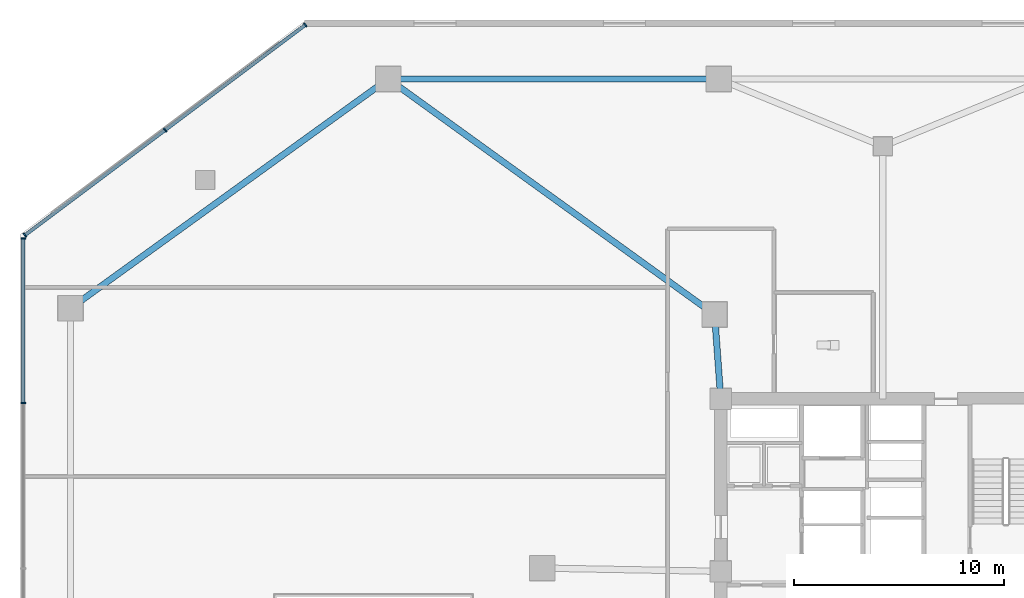
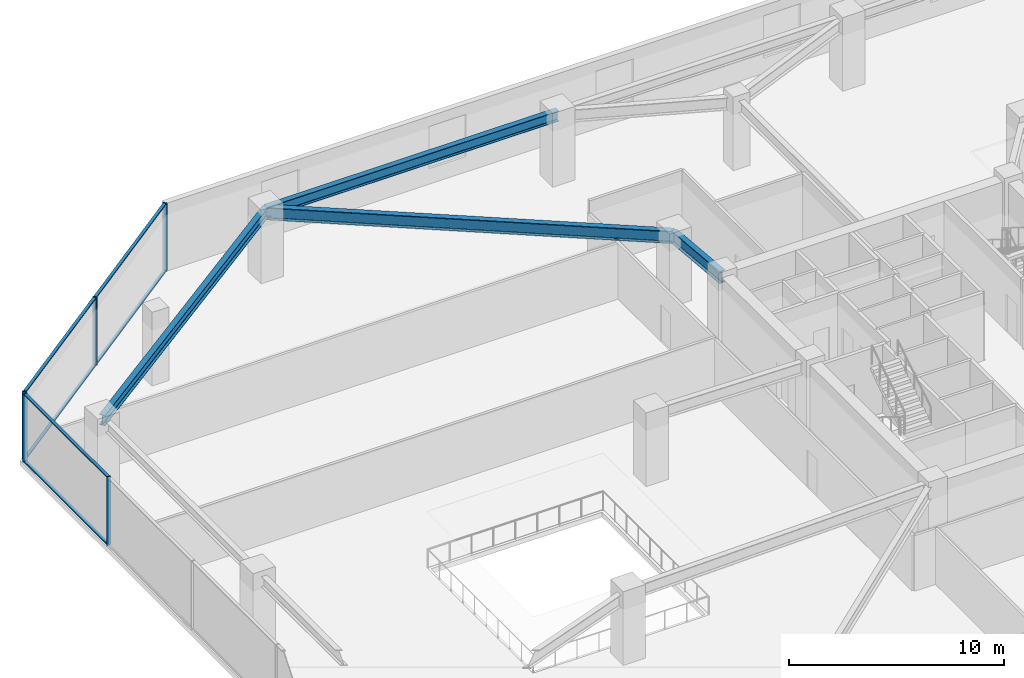
# One storey, part 6 of 22: 11 members, 4 beams, 2 elements without a shape of their own.
"""IFC4 building model written with IfcOpenShell, lengths in metres."""

import ifcopenshell
import ifcopenshell.guid

model = None  # the IFC model being written
_history = None  # IfcOwnerHistory: only IFC2X3 demands one
_inside = {}  # id of a spatial element -> (the spatial element, [elements in it])
_under = {}  # id of a project, library or spatial element -> (it, [spatial elements below it])
_declared = {}  # id of a project -> (the project, [libraries it declares])
_typed = {}  # id of a type object -> (the type object, [elements of that type])
_made_of = {}  # id of a material, layer set ... -> (it, [elements and type objects made of it])


def new_model(schema):
    """Start an empty IFC model of exactly this schema.

    Asked for "IFC4X3", IfcOpenShell would pick the latest addendum, in which some entities
    have other attributes; the version numbers below select the first issue.
    IFC2X3 requires an IfcOwnerHistory on every rooted entity: one is made here for all.
    """
    global model, _history
    if schema == "IFC4X3":
        model = ifcopenshell.file(schema_version=(4, 3, 0, 0))
    else:
        model = ifcopenshell.file(schema=schema)
    _inside.clear()
    _under.clear()
    _declared.clear()
    _typed.clear()
    _made_of.clear()
    _history = None
    if model.schema == "IFC2X3":
        org = make("IfcOrganization", Name="unknown")
        user = make(
            "IfcPersonAndOrganization",
            ThePerson=make("IfcPerson", FamilyName="unknown"),
            TheOrganization=org,
        )
        app = make(
            "IfcApplication",
            ApplicationDeveloper=org,
            Version="unknown",
            ApplicationFullName="unknown",
            ApplicationIdentifier="unknown",
        )
        _history = make(
            "IfcOwnerHistory",
            OwningUser=user,
            OwningApplication=app,
            ChangeAction="ADDED",
            CreationDate=0,
        )
    return model


def make(cls, **values):
    """One entity of the class cls with the attributes given. An attribute that is None is left unset."""
    return model.create_entity(
        cls, **{name: value for name, value in values.items() if value is not None}
    )


def rooted(cls, **values):
    """An entity with a GlobalId (a new one), such as an element, a storey or a relation."""
    return make(cls, GlobalId=ifcopenshell.guid.new(), OwnerHistory=_history, **values)


def si_unit(unit_type, name, prefix=None):
    """IfcSIUnit, for example si_unit("LENGTHUNIT", "METRE", prefix="MILLI")."""
    return make("IfcSIUnit", UnitType=unit_type, Prefix=prefix, Name=name)


def assignment(units):
    """IfcUnitAssignment: the units of a project."""
    return None if units is None else make("IfcUnitAssignment", Units=units)


def point(xyz):
    """IfcCartesianPoint."""
    return None if xyz is None else make("IfcCartesianPoint", Coordinates=xyz)


def direction(xyz):
    """IfcDirection."""
    return None if xyz is None else make("IfcDirection", DirectionRatios=xyz)


def frame(location, z_axis=None, x_axis=None):
    """IfcAxis2Placement3D, a coordinate frame: its origin and axes. An axis left out is left unset."""
    return make(
        "IfcAxis2Placement3D",
        Location=point(location),
        Axis=direction(z_axis),
        RefDirection=direction(x_axis),
    )


def frame_2d(location, x_axis=None):
    """IfcAxis2Placement2D, a coordinate frame in the plane: its origin and x axis."""
    return make(
        "IfcAxis2Placement2D", Location=point(location), RefDirection=direction(x_axis)
    )


def origin():
    """The frame at (0, 0, 0) with its axes left unset."""
    return frame((0.0, 0.0, 0.0))


def origin_2d():
    """The frame at (0, 0) in the plane with its x axis left unset."""
    return frame_2d((0.0, 0.0))


def place(relative_to, where):
    """IfcLocalPlacement: puts the frame where relative to a parent placement (None: the world)."""
    return make(
        "IfcLocalPlacement", PlacementRelTo=relative_to, RelativePlacement=where
    )


def context(
    kind, dimensions, precision=None, world=None, true_north=None, identifier=None
):
    """IfcGeometricRepresentationContext, for example the 3D "Model" context."""
    return make(
        "IfcGeometricRepresentationContext",
        ContextIdentifier=identifier,
        ContextType=kind,
        CoordinateSpaceDimension=dimensions,
        Precision=precision,
        WorldCoordinateSystem=world,
        TrueNorth=true_north,
    )


def subcontext(parent, identifier, kind, view, scale=None):
    """IfcGeometricRepresentationSubContext, for example "Body" below "Model"."""
    return make(
        "IfcGeometricRepresentationSubContext",
        ContextIdentifier=identifier,
        ContextType=kind,
        ParentContext=parent,
        TargetScale=scale,
        TargetView=view,
    )


def project(units=None, contexts=None):
    """IfcProject with its units and contexts."""
    return rooted(
        "IfcProject",
        Name="project",
        RepresentationContexts=contexts,
        UnitsInContext=assignment(units),
    )


def spatial(cls, under=None, at=None, **own):
    """A site, building, storey or space (cls), placed at a placement, below another one or the project."""
    s = rooted(cls, ObjectPlacement=at, **own)
    if under is not None:
        _under.setdefault(under.id(), (under, []))[1].append(s)
    return s


def profile(cls, at=None, kind="AREA", **sizes):
    """A parametric profile (cls). Its sizes go by their IFC names, for example OverallWidth=200.0."""
    return make(cls, ProfileType=kind, Position=at, **sizes)


def rectangle(**sizes):
    """IfcRectangleProfileDef."""
    return profile("IfcRectangleProfileDef", **sizes)


def i_section(**sizes):
    """IfcIShapeProfileDef."""
    return profile("IfcIShapeProfileDef", **sizes)


def extrude(swept, where, along, depth):
    """IfcExtrudedAreaSolid: the profile swept, set in the frame where, extruded along a direction by depth."""
    return make(
        "IfcExtrudedAreaSolid",
        SweptArea=swept,
        Position=where,
        ExtrudedDirection=direction(along),
        Depth=depth,
    )


def shape(context_of_items, identifier, shape_type, items):
    """IfcShapeRepresentation: the items that make up one representation, for example the "Body"."""
    return make(
        "IfcShapeRepresentation",
        ContextOfItems=context_of_items,
        RepresentationIdentifier=identifier,
        RepresentationType=shape_type,
        Items=items,
    )


def material(Name=None, Category=None):
    """IfcMaterial."""
    return make("IfcMaterial", Name=Name, Category=Category)


def material_profile(
    of_material, cross_section, Name=None, Category=None, Priority=None
):
    """IfcMaterialProfile: a cross section and its material."""
    return make(
        "IfcMaterialProfile",
        Name=Name,
        Material=of_material,
        Profile=cross_section,
        Priority=Priority,
        Category=Category,
    )


def profile_set(profiles, Name=None, composite=None):
    """IfcMaterialProfileSet."""
    return make(
        "IfcMaterialProfileSet",
        Name=Name,
        MaterialProfiles=profiles,
        CompositeProfile=composite,
    )


def made_of(thing, what):
    """Note that an element or type object is made of a material, layer set ...; save() writes the relation."""
    if what is not None:
        _made_of.setdefault(what.id(), (what, []))[1].append(thing)
    return thing


def type_object(cls, material=None, **own):
    """A type object (cls), such as IfcWallType, which elements share."""
    return made_of(rooted(cls, **own), material)


def element(
    cls,
    number,
    at=None,
    inside=None,
    cuts=None,
    type_object=None,
    material=None,
    context=None,
    identifier="Body",
    shape_type=None,
    held_by="IfcProductDefinitionShape",
    body=None,
    shapes=None,
    **own,
):
    """One element of the class cls, such as IfcWall. Its Tag is "e" and its number.

    at: its placement. inside: the storey or other place that contains it. cuts: it is an
    opening in that element (IfcRelVoidsElement). A single representation is given by context,
    identifier, shape_type and body (its items); several are given by shapes. held_by: the class
    of the entity that holds the representations. save() writes the other relations.
    """
    e = rooted(cls, Tag="e%d" % number, ObjectPlacement=at, **own)
    if body is not None:
        shapes = [shape(context, identifier, shape_type, body)]
    if shapes is not None:
        e.Representation = make(held_by, Representations=shapes)
    if inside is not None:
        _inside.setdefault(inside.id(), (inside, []))[1].append(e)
    if cuts is not None:
        rooted(
            "IfcRelVoidsElement", RelatingBuildingElement=cuts, RelatedOpeningElement=e
        )
    if type_object is not None:
        _typed.setdefault(type_object.id(), (type_object, []))[1].append(e)
    return made_of(e, material)


def aggregate(whole, parts):
    """IfcRelAggregates: a whole, such as a stair, and the parts it consists of."""
    return rooted("IfcRelAggregates", RelatingObject=whole, RelatedObjects=parts)


def save(model, path):
    """Write the relations noted so far, then the file.

    IfcRelAggregates (storeys below a building ...), IfcRelContainedInSpatialStructure (elements
    in a storey), IfcRelDefinesByType, IfcRelAssociatesMaterial and IfcRelDeclares: one each for
    every whole, place, type object, material and project.
    """
    for whole, parts in _under.values():
        aggregate(whole, parts)
    for where, things in _inside.values():
        rooted(
            "IfcRelContainedInSpatialStructure",
            RelatedElements=things,
            RelatingStructure=where,
        )
    for kind, things in _typed.values():
        rooted("IfcRelDefinesByType", RelatedObjects=things, RelatingType=kind)
    for what, things in _made_of.values():
        rooted("IfcRelAssociatesMaterial", RelatedObjects=things, RelatingMaterial=what)
    for by, libraries in _declared.values():
        rooted("IfcRelDeclares", RelatingContext=by, RelatedDefinitions=libraries)
    model.write(path)


model = new_model("IFC4")

# Units and contexts
model_context = context("Model", 3, precision=1e-05, world=origin(), true_north=direction((0.0, 1.0)))
body_context = subcontext(model_context, "Body", "Model", "MODEL_VIEW")
ifc_project = project(units=[si_unit("LENGTHUNIT", "METRE"), si_unit("AREAUNIT", "SQUARE_METRE"), si_unit("VOLUMEUNIT", "CUBIC_METRE"), si_unit("PLANEANGLEUNIT", "RADIAN"), si_unit("MASSUNIT", "GRAM", prefix="KILO")], contexts=[model_context])

# Site, building, storey
site_placement = place(None, origin())
site = spatial("IfcSite", under=ifc_project, at=site_placement, CompositionType="ELEMENT")
building_placement = place(site_placement, origin())
building = spatial("IfcBuilding", under=site, at=building_placement, Name="Savorim Split Tower", CompositionType="ELEMENT")
storey_placement = place(building_placement, frame((0.0, 0.0, 17.60009765625)))
storey = spatial("IfcBuildingStorey", under=building, at=storey_placement, Name="L04", CompositionType="ELEMENT", Elevation=17.60009765625)

# Beams
ifc_material_1 = material(Name="Steel S355", Category="steel")
ifc_material_profile_1 = material_profile(ifc_material_1, i_section(OverallWidth=0.300048828125, OverallDepth=0.699951171875, WebThickness=0.01708984375, FlangeThickness=0.031982421875, FilletRadius=0.027099609375, at=origin_2d()), Name="HEB 700")
ifc_profile_set_1 = profile_set([ifc_material_profile_1], Name="Steel S355")
beam_type_1 = type_object("IfcBeamType", Name="BM-PRI-HEB700", PredefinedType="BEAM", material=ifc_profile_set_1)
beam_1_placement = place(storey_placement, frame((-23.5, 25.39990234375, 3.52978515625), z_axis=(0.810720623397, -0.585433233426, 0.0), x_axis=(0.585433233426, 0.810720623397, 0.0)))
element("IfcBeam", 1, at=beam_1_placement, inside=storey, type_object=beam_type_1, Name="L04 Podium Primary Girder BG-15", PredefinedType="BEAM", context=body_context, shape_type="SweptSolid", body=[
    extrude(i_section(OverallWidth=0.300048828125, OverallDepth=0.699951171875, WebThickness=0.01708984375, FlangeThickness=0.031982421875, FilletRadius=0.027099609375, at=origin_2d()), origin(), (0.0, 0.0, 1.0), 19.128173828125),
])
beam_2_placement = place(storey_placement, frame((-7.992431640625, 14.20166015625, 3.52978515625), z_axis=(0.072894449016, -0.997339660949, 0.0), x_axis=(0.997339660949, 0.072894449016, 0.0)))
element("IfcBeam", 2, at=beam_2_placement, inside=storey, type_object=beam_type_1, Name="L04 Podium Primary Girder BG-29", PredefinedType="BEAM", context=body_context, shape_type="SweptSolid", body=[
    extrude(i_section(OverallWidth=0.300048828125, OverallDepth=0.699951171875, WebThickness=0.01708984375, FlangeThickness=0.031982421875, FilletRadius=0.027099609375, at=origin_2d()), origin(), (0.0, 0.0, 1.0), 4.012451171875),
])
ifc_material_profile_2 = material_profile(ifc_material_1, i_section(OverallWidth=0.300048828125, OverallDepth=0.590087890625, WebThickness=0.012939453125, FlangeThickness=0.02490234375, FilletRadius=0.027099609375, at=origin_2d()), Name="HEA 600")
ifc_profile_set_2 = profile_set([ifc_material_profile_2], Name="Steel S355")
beam_type_2 = type_object("IfcBeamType", Name="BM-SPN-HEA600", PredefinedType="SPANDREL", material=ifc_profile_set_2)
beam_3_placement = place(storey_placement, frame((-7.800048828125, 25.39990234375, 3.5849609375), z_axis=(-1.0, 0.0, 0.0), x_axis=(0.0, -1.0, 0.0)))
element("IfcBeam", 3, at=beam_3_placement, inside=storey, type_object=beam_type_2, Name="L04 Podium Spandrel Beam 8", PredefinedType="SPANDREL", context=body_context, shape_type="SweptSolid", body=[
    extrude(i_section(OverallWidth=0.300048828125, OverallDepth=0.590087890625, WebThickness=0.012939453125, FlangeThickness=0.02490234375, FilletRadius=0.027099609375, at=origin_2d()), origin(), (0.0, 0.0, 1.0), 15.699951171875),
])
beam_4_placement = place(storey_placement, frame((-23.5, 25.39990234375, 3.5849609375), z_axis=(-0.810825083438, -0.585288547699, 0.0), x_axis=(0.585288547699, -0.810825083438, 0.0)))
element("IfcBeam", 4, at=beam_4_placement, inside=storey, type_object=beam_type_2, Name="L04 Podium Spandrel Beam 9", PredefinedType="SPANDREL", context=body_context, shape_type="SweptSolid", body=[
    extrude(i_section(OverallWidth=0.300048828125, OverallDepth=0.590087890625, WebThickness=0.012939453125, FlangeThickness=0.02490234375, FilletRadius=0.027099609375, at=origin_2d()), origin(), (0.0, 0.0, 1.0), 18.623046875),
])

# Curtain wall, members
ifc_material_2 = material(Name="Dark Ceramic-Fritted Insulated Glass", Category="glass")
curtain_wall_type = type_object("IfcCurtainWallType", Name="CW-POD-GLZ", PredefinedType="NOTDEFINED", material=ifc_material_2)
curtain_wall_1_placement = place(storey_placement, origin())
curtain_wall_1 = element("IfcCurtainWall", 5, at=curtain_wall_1_placement, inside=storey, type_object=curtain_wall_type, Name="L04 Curtain Wall CW-L04-E09", PredefinedType="NOTDEFINED")
ifc_material_3 = material(Name="Charcoal Anodised Aluminium", Category="aluminium")
ifc_material_profile_3 = material_profile(ifc_material_3, rectangle(XDim=0.219970703125, YDim=0.070068359375, at=origin_2d()), Name="ALU-M 220x70")
ifc_profile_set_3 = profile_set([ifc_material_profile_3], Name="Charcoal Anodised Aluminium")
member_type_1 = type_object("IfcMemberType", Name="CWM-220x70", PredefinedType="MULLION", material=ifc_profile_set_3)
member_1_placement = place(storey_placement, frame((-27.444091796875, 27.967041015625, 0.0), z_axis=(0.0, 0.0, 1.0), x_axis=(0.600000000002, -0.799999999998, 0.0)))
member_1 = element("IfcMember", 6, at=member_1_placement, type_object=member_type_1, Name="CW-01 mullion 1", PredefinedType="MULLION", context=body_context, shape_type="SweptSolid", body=[
    extrude(rectangle(XDim=0.219970703125, YDim=0.070068359375, at=origin_2d()), origin(), (0.0, 0.0, 1.0), 3.8798828125),
])
member_2_placement = place(storey_placement, frame((-34.10400390625, 22.971923828125, 0.0), z_axis=(0.0, 0.0, 1.0), x_axis=(0.600000000002, -0.799999999998, 0.0)))
member_2 = element("IfcMember", 7, at=member_2_placement, type_object=member_type_1, Name="CW-01 mullion 2", PredefinedType="MULLION", context=body_context, shape_type="SweptSolid", body=[
    extrude(rectangle(XDim=0.219970703125, YDim=0.070068359375, at=origin_2d()), origin(), (0.0, 0.0, 1.0), 3.8798828125),
])
member_3_placement = place(storey_placement, frame((-40.763916015625, 17.97705078125, 0.0), z_axis=(0.0, 0.0, 1.0), x_axis=(0.600000000002, -0.799999999998, 0.0)))
member_3 = element("IfcMember", 8, at=member_3_placement, type_object=member_type_1, Name="CW-01 mullion 3", PredefinedType="MULLION", context=body_context, shape_type="SweptSolid", body=[
    extrude(rectangle(XDim=0.219970703125, YDim=0.070068359375, at=origin_2d()), origin(), (0.0, 0.0, 1.0), 3.8798828125),
])

curtain_wall_2_placement = place(storey_placement, origin())
curtain_wall_2 = element("IfcCurtainWall", 9, at=curtain_wall_2_placement, inside=storey, type_object=curtain_wall_type, Name="L04 Curtain Wall CW-L04-E10", PredefinedType="NOTDEFINED")
member_4_placement = place(storey_placement, frame((-40.840087890625, 17.824951171875, 0.0), z_axis=(0.0, 0.0, 1.0), x_axis=(1.0, 0.0, 0.0)))
member_4 = element("IfcMember", 10, at=member_4_placement, type_object=member_type_1, Name="CW-01 mullion 1", PredefinedType="MULLION", context=body_context, shape_type="SweptSolid", body=[
    extrude(rectangle(XDim=0.219970703125, YDim=0.070068359375, at=origin_2d()), origin(), (0.0, 0.0, 1.0), 3.8798828125),
])
member_5_placement = place(storey_placement, frame((-40.840087890625, 9.99609375, 0.0), z_axis=(0.0, 0.0, 1.0), x_axis=(1.0, 0.0, 0.0)))
member_5 = element("IfcMember", 11, at=member_5_placement, type_object=member_type_1, Name="CW-01 mullion 2", PredefinedType="MULLION", context=body_context, shape_type="SweptSolid", body=[
    extrude(rectangle(XDim=0.219970703125, YDim=0.070068359375, at=origin_2d()), origin(), (0.0, 0.0, 1.0), 3.8798828125),
])

# Member
ifc_material_profile_4 = material_profile(ifc_material_3, rectangle(XDim=0.159912109375, YDim=0.06005859375, at=origin_2d()), Name="ALU-T 160x60")
ifc_profile_set_4 = profile_set([ifc_material_profile_4], Name="Charcoal Anodised Aluminium")
member_type_2 = type_object("IfcMemberType", Name="CWT-160x60", PredefinedType="USERDEFINED", material=ifc_profile_set_4)
member_6_placement = place(storey_placement, frame((-27.471923828125, 27.946044921875, 0.02978515625), z_axis=(-0.79999290204, -0.60000946383, 0.0), x_axis=(0.60000946383, -0.79999290204, 0.0)))
member_6 = element("IfcMember", 12, at=member_6_placement, type_object=member_type_2, Name="CW-01 transom 1.1", ObjectType="TRANSOM", PredefinedType="USERDEFINED", context=body_context, shape_type="SweptSolid", body=[
    extrude(rectangle(XDim=0.159912109375, YDim=0.06005859375, at=origin_2d()), origin(), (0.0, 0.0, 1.0), 8.255126953125),
])

member_7_placement = place(storey_placement, frame((-27.471923828125, 27.946044921875, 3.849853515625), z_axis=(-0.79999290204, -0.60000946383, 0.0), x_axis=(0.60000946383, -0.79999290204, 0.0)))
member_7 = element("IfcMember", 13, at=member_7_placement, type_object=member_type_2, Name="CW-01 transom 1.2", ObjectType="TRANSOM", PredefinedType="USERDEFINED", context=body_context, shape_type="SweptSolid", body=[
    extrude(rectangle(XDim=0.159912109375, YDim=0.06005859375, at=origin_2d()), origin(), (0.0, 0.0, 1.0), 8.255126953125),
])

member_8_placement = place(storey_placement, frame((-34.132080078125, 22.950927734375, 0.02978515625), z_axis=(-0.800007097974, -0.599990535918, 0.0), x_axis=(0.599990535918, -0.800007097974, 0.0)))
member_8 = element("IfcMember", 14, at=member_8_placement, type_object=member_type_2, Name="CW-01 transom 2.1", ObjectType="TRANSOM", PredefinedType="USERDEFINED", context=body_context, shape_type="SweptSolid", body=[
    extrude(rectangle(XDim=0.159912109375, YDim=0.06005859375, at=origin_2d()), origin(), (0.0, 0.0, 1.0), 8.2548828125),
])

member_9_placement = place(storey_placement, frame((-34.132080078125, 22.950927734375, 3.849853515625), z_axis=(-0.800007097974, -0.599990535918, 0.0), x_axis=(0.599990535918, -0.800007097974, 0.0)))
member_9 = element("IfcMember", 15, at=member_9_placement, type_object=member_type_2, Name="CW-01 transom 2.2", ObjectType="TRANSOM", PredefinedType="USERDEFINED", context=body_context, shape_type="SweptSolid", body=[
    extrude(rectangle(XDim=0.159912109375, YDim=0.06005859375, at=origin_2d()), origin(), (0.0, 0.0, 1.0), 8.2548828125),
])

aggregate(curtain_wall_1, [member_1, member_2, member_3, member_6, member_7, member_8, member_9])

member_10_placement = place(storey_placement, frame((-40.840087890625, 17.7900390625, 0.02978515625), z_axis=(0.0, -1.0, 0.0), x_axis=(1.0, 0.0, 0.0)))
member_10 = element("IfcMember", 16, at=member_10_placement, type_object=member_type_2, Name="CW-01 transom 1.1", ObjectType="TRANSOM", PredefinedType="USERDEFINED", context=body_context, shape_type="SweptSolid", body=[
    extrude(rectangle(XDim=0.159912109375, YDim=0.06005859375, at=origin_2d()), origin(), (0.0, 0.0, 1.0), 7.759033203125),
])

member_11_placement = place(storey_placement, frame((-40.840087890625, 17.7900390625, 3.849853515625), z_axis=(0.0, -1.0, 0.0), x_axis=(1.0, 0.0, 0.0)))
member_11 = element("IfcMember", 17, at=member_11_placement, type_object=member_type_2, Name="CW-01 transom 1.2", ObjectType="TRANSOM", PredefinedType="USERDEFINED", context=body_context, shape_type="SweptSolid", body=[
    extrude(rectangle(XDim=0.159912109375, YDim=0.06005859375, at=origin_2d()), origin(), (0.0, 0.0, 1.0), 7.759033203125),
])

aggregate(curtain_wall_2, [member_4, member_5, member_10, member_11])

save(model, "model.ifc")
